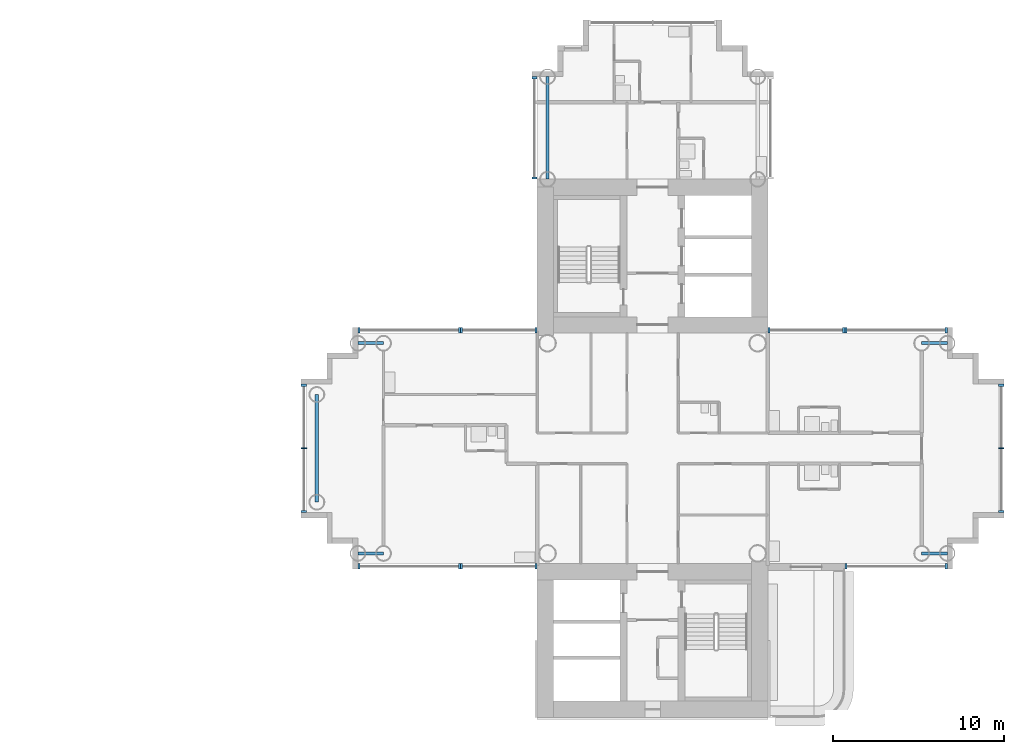
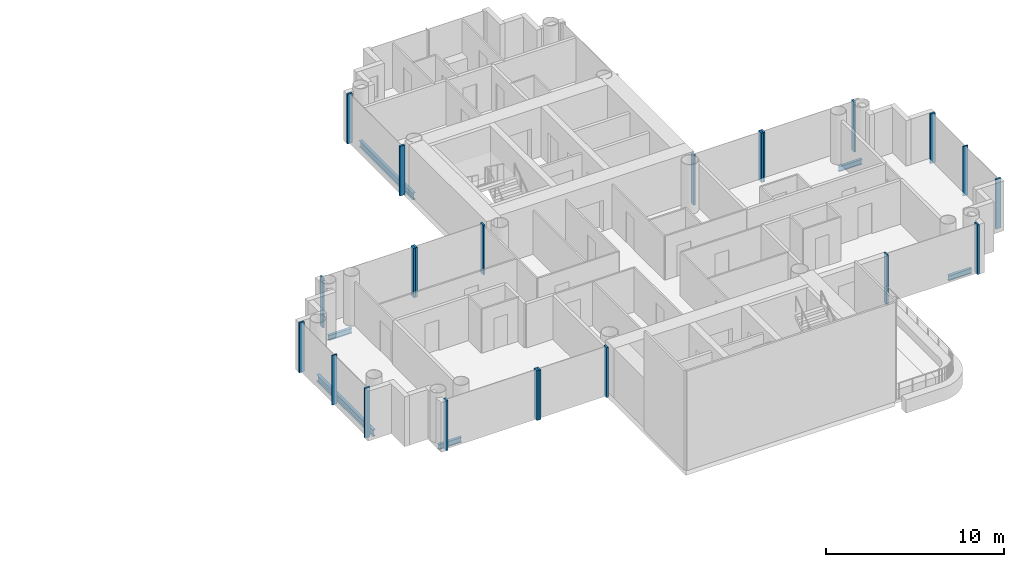
# One storey, part 5 of 22: 22 members, 6 beams, 10 elements without a shape of their own.
"""IFC4 building model written with IfcOpenShell, lengths in metres."""

from ifc_helpers import new_model, si_unit, direction, frame, origin, origin_2d, place, context, subcontext, project, spatial, rectangle, i_section, extrude, material, layer, layer_set, material_profile, profile_set, type_object, element, aggregate, save


model = new_model("IFC4")

# Units and contexts
model_context = context("Model", 3, precision=1e-05, world=origin(), true_north=direction((0.0, 1.0)))
body_context = subcontext(model_context, "Body", "Model", "MODEL_VIEW")
ifc_project = project(units=[si_unit("LENGTHUNIT", "METRE"), si_unit("AREAUNIT", "SQUARE_METRE"), si_unit("VOLUMEUNIT", "CUBIC_METRE"), si_unit("PLANEANGLEUNIT", "RADIAN"), si_unit("MASSUNIT", "GRAM", prefix="KILO")], contexts=[model_context])

# Site, building, storey
site_placement = place(None, origin())
site = spatial("IfcSite", under=ifc_project, at=site_placement, CompositionType="ELEMENT")
building_placement = place(site_placement, origin())
building = spatial("IfcBuilding", under=site, at=building_placement, Name="Ipe Terrace Towers", CompositionType="ELEMENT")
storey_placement = place(building_placement, frame((0.0, 0.0, 90.199951171875)))
storey = spatial("IfcBuildingStorey", under=building, at=storey_placement, Name="L24", CompositionType="ELEMENT", Elevation=90.199951171875)

# Beams
ifc_material_1 = material(Name="Steel S355", Category="steel")
ifc_material_profile_1 = material_profile(ifc_material_1, i_section(OverallWidth=0.175048828125, OverallDepth=0.35009765625, WebThickness=0.007080078125, FlangeThickness=0.010986328125, at=origin_2d()), Name="H-350x175x7x11")
ifc_profile_set_1 = profile_set([ifc_material_profile_1], Name="Steel S355")
beam_type_1 = type_object("IfcBeamType", Name="H04 EDGE BEAM H-350x175x7x11", PredefinedType="BEAM", material=ifc_profile_set_1)
for number, where, z_axis, x_axis, name in (
    (1, (20.25, 6.14990234375, -0.574951171875), (-1.0, 0.0, 0.0), (0.0, -1.0, 0.0), "Edge beam T2-EB-B03-B05"),
    (2, (20.25, -6.14990234375, -0.574951171875), (-1.0, 0.0, 0.0), (0.0, -1.0, 0.0), "Edge beam T2-EB-B04-B06"),
    (3, (51.75, -6.14990234375, -0.574951171875), (1.0, 0.0, 0.0), (0.0, 1.0, 0.0), "Edge beam T2-EB-D03-D05"),
    (4, (51.75, 6.14990234375, -0.574951171875), (1.0, 0.0, 0.0), (0.0, 1.0, 0.0), "Edge beam T2-EB-D04-D06"),
):
    element("IfcBeam", number, at=place(storey_placement, frame(where, z_axis=z_axis, x_axis=x_axis)), inside=storey, type_object=beam_type_1, Name=name, PredefinedType="BEAM", context=body_context, shape_type="SweptSolid", body=[
        extrude(i_section(OverallWidth=0.175048828125, OverallDepth=0.35009765625, WebThickness=0.007080078125, FlangeThickness=0.010986328125, at=origin_2d()), origin(), (0.0, 0.0, 1.0), 1.5),
    ])
ifc_material_2 = material(Name="Steel S355", Category="steel")
ifc_material_profile_2 = material_profile(ifc_material_2, i_section(OverallWidth=0.199951171875, OverallDepth=0.449951171875, WebThickness=0.009033203125, FlangeThickness=0.013916015625, at=origin_2d()), Name="H-450x200x9x14")
ifc_profile_set_2 = profile_set([ifc_material_profile_2], Name="Steel S355")
beam_type_2 = type_object("IfcBeamType", Name="H08 EDGE BEAM H-450x200x9x14", PredefinedType="BEAM", material=ifc_profile_set_2)
beam_1_placement = place(storey_placement, frame((29.85009765625, 15.75, -0.625), z_axis=(0.0, 1.0, 0.0), x_axis=(-1.0, 0.0, 0.0)))
element("IfcBeam", 5, at=beam_1_placement, inside=storey, type_object=beam_type_2, Name="Edge beam T2-EB-A02-A04", PredefinedType="BEAM", context=body_context, shape_type="SweptSolid", body=[
    extrude(i_section(OverallWidth=0.199951171875, OverallDepth=0.449951171875, WebThickness=0.009033203125, FlangeThickness=0.013916015625, at=origin_2d()), origin(), (0.0, 0.0, 1.0), 6.0),
])
beam_2_placement = place(storey_placement, frame((16.35009765625, 3.14990234375, -0.625), z_axis=(0.0, -1.0, 0.0), x_axis=(1.0, 0.0, 0.0)))
element("IfcBeam", 6, at=beam_2_placement, inside=storey, type_object=beam_type_2, Name="Edge beam T2-EB-B07-B08", PredefinedType="BEAM", context=body_context, shape_type="SweptSolid", body=[
    extrude(i_section(OverallWidth=0.199951171875, OverallDepth=0.449951171875, WebThickness=0.009033203125, FlangeThickness=0.013916015625, at=origin_2d()), origin(), (0.0, 0.0, 1.0), 6.2998046875),
])

# Curtain wall, members
ifc_material_3 = material(Name="Aluminium alloy 6063-T6", Category="aluminium")
ifc_layer = layer(ifc_material_3, 0.320068359375)
ifc_layer_set = layer_set([ifc_layer], Name="TOWER UNITISED CURTAIN WALL")
curtain_wall_type = type_object("IfcCurtainWallType", Name="TOWER UNITISED CURTAIN WALL", PredefinedType="NOTDEFINED", material=ifc_layer_set)
curtain_wall_1_placement = place(storey_placement, origin())
curtain_wall_1 = element("IfcCurtainWall", 7, at=curtain_wall_1_placement, inside=storey, type_object=curtain_wall_type, Name="T2-CW-L24-03a curtain wall", PredefinedType="NOTDEFINED")
ifc_material_4 = material(Name="Aluminium alloy 6063-T6", Category="aluminium")
ifc_material_profile_3 = material_profile(ifc_material_4, rectangle(XDim=0.320068359375, YDim=0.1201171875, at=origin_2d()), Name="TOWER UNITISED CORNER MULLION 320 x 120")
ifc_profile_set_3 = profile_set([ifc_material_profile_3], Name="Aluminium alloy 6063-T6")
member_type_1 = type_object("IfcMemberType", Name="TOWER UNITISED CORNER MULLION 320 x 120", PredefinedType="MULLION", material=ifc_profile_set_3)
member_1_placement = place(storey_placement, frame((47.31005859375, -6.909912109375, -0.300048828125), z_axis=(0.0, 0.0, 1.0), x_axis=(0.0, -1.0, 0.0)))
member_1 = element("IfcMember", 8, at=member_1_placement, type_object=member_type_1, Name="T2-CW-L24-03a mullion 1", PredefinedType="MULLION", context=body_context, shape_type="SweptSolid", body=[
    extrude(rectangle(XDim=0.320068359375, YDim=0.1201171875, at=origin_2d()), origin(), (0.0, 0.0, 1.0), 3.400146484375),
])
member_2_placement = place(storey_placement, frame((53.18994140625, -6.909912109375, -0.300048828125), z_axis=(0.0, 0.0, 1.0), x_axis=(0.0, -1.0, 0.0)))
member_2 = element("IfcMember", 9, at=member_2_placement, type_object=member_type_1, Name="T2-CW-L24-03a mullion 2", PredefinedType="MULLION", context=body_context, shape_type="SweptSolid", body=[
    extrude(rectangle(XDim=0.320068359375, YDim=0.1201171875, at=origin_2d()), origin(), (0.0, 0.0, 1.0), 3.400146484375),
])
aggregate(curtain_wall_1, [member_1, member_2])

curtain_wall_2_placement = place(storey_placement, origin())
curtain_wall_2 = element("IfcCurtainWall", 10, at=curtain_wall_2_placement, inside=storey, type_object=curtain_wall_type, Name="T2-CW-L24-08a curtain wall", PredefinedType="NOTDEFINED")
member_3_placement = place(storey_placement, frame((56.409912109375, -3.68994140625, -0.300048828125), z_axis=(0.0, 0.0, 1.0), x_axis=(1.0, 0.0, 0.0)))
member_3 = element("IfcMember", 11, at=member_3_placement, type_object=member_type_1, Name="T2-CW-L24-08a mullion 1", PredefinedType="MULLION", context=body_context, shape_type="SweptSolid", body=[
    extrude(rectangle(XDim=0.320068359375, YDim=0.1201171875, at=origin_2d()), origin(), (0.0, 0.0, 1.0), 3.400146484375),
])
member_4_placement = place(storey_placement, frame((56.409912109375, 3.68994140625, -0.300048828125), z_axis=(0.0, 0.0, 1.0), x_axis=(1.0, 0.0, 0.0)))
member_4 = element("IfcMember", 12, at=member_4_placement, type_object=member_type_1, Name="T2-CW-L24-08a mullion 3", PredefinedType="MULLION", context=body_context, shape_type="SweptSolid", body=[
    extrude(rectangle(XDim=0.320068359375, YDim=0.1201171875, at=origin_2d()), origin(), (0.0, 0.0, 1.0), 3.400146484375),
])

curtain_wall_3_placement = place(storey_placement, origin())
curtain_wall_3 = element("IfcCurtainWall", 13, at=curtain_wall_3_placement, inside=storey, type_object=curtain_wall_type, Name="T2-CW-L24-13a curtain wall", PredefinedType="NOTDEFINED")
member_5_placement = place(storey_placement, frame((53.18994140625, 6.909912109375, -0.300048828125), z_axis=(0.0, 0.0, 1.0), x_axis=(0.0, 1.0, 0.0)))
member_5 = element("IfcMember", 14, at=member_5_placement, type_object=member_type_1, Name="T2-CW-L24-13a mullion 1", PredefinedType="MULLION", context=body_context, shape_type="SweptSolid", body=[
    extrude(rectangle(XDim=0.320068359375, YDim=0.1201171875, at=origin_2d()), origin(), (0.0, 0.0, 1.0), 3.400146484375),
])
member_6_placement = place(storey_placement, frame((47.31005859375, 6.909912109375, -0.300048828125), z_axis=(0.0, 0.0, 1.0), x_axis=(0.0, 1.0, 0.0)))
member_6 = element("IfcMember", 15, at=member_6_placement, type_object=member_type_1, Name="T2-CW-L24-13a mullion 2", PredefinedType="MULLION", context=body_context, shape_type="SweptSolid", body=[
    extrude(rectangle(XDim=0.320068359375, YDim=0.1201171875, at=origin_2d()), origin(), (0.0, 0.0, 1.0), 3.400146484375),
])
aggregate(curtain_wall_3, [member_5, member_6])

curtain_wall_4_placement = place(storey_placement, origin())
curtain_wall_4 = element("IfcCurtainWall", 16, at=curtain_wall_4_placement, inside=storey, type_object=curtain_wall_type, Name="T2-CW-L24-14a curtain wall", PredefinedType="NOTDEFINED")
member_7_placement = place(storey_placement, frame((47.18994140625, 6.909912109375, -0.300048828125), z_axis=(0.0, 0.0, 1.0), x_axis=(0.0, 1.0, 0.0)))
member_7 = element("IfcMember", 17, at=member_7_placement, type_object=member_type_1, Name="T2-CW-L24-14a mullion 1", PredefinedType="MULLION", context=body_context, shape_type="SweptSolid", body=[
    extrude(rectangle(XDim=0.320068359375, YDim=0.1201171875, at=origin_2d()), origin(), (0.0, 0.0, 1.0), 3.400146484375),
])
member_8_placement = place(storey_placement, frame((42.81005859375, 6.909912109375, -0.300048828125), z_axis=(0.0, 0.0, 1.0), x_axis=(0.0, 1.0, 0.0)))
member_8 = element("IfcMember", 18, at=member_8_placement, type_object=member_type_1, Name="T2-CW-L24-14a mullion 2", PredefinedType="MULLION", context=body_context, shape_type="SweptSolid", body=[
    extrude(rectangle(XDim=0.320068359375, YDim=0.1201171875, at=origin_2d()), origin(), (0.0, 0.0, 1.0), 3.400146484375),
])
aggregate(curtain_wall_4, [member_7, member_8])

curtain_wall_5_placement = place(storey_placement, origin())
curtain_wall_5 = element("IfcCurtainWall", 19, at=curtain_wall_5_placement, inside=storey, type_object=curtain_wall_type, Name="T2-CW-L24-26a curtain wall", PredefinedType="NOTDEFINED")
member_9_placement = place(storey_placement, frame((29.090087890625, 21.68994140625, -0.300048828125), z_axis=(0.0, 0.0, 1.0), x_axis=(-1.0, 0.0, 0.0)))
member_9 = element("IfcMember", 20, at=member_9_placement, type_object=member_type_1, Name="T2-CW-L24-26a mullion 1", PredefinedType="MULLION", context=body_context, shape_type="SweptSolid", body=[
    extrude(rectangle(XDim=0.320068359375, YDim=0.1201171875, at=origin_2d()), origin(), (0.0, 0.0, 1.0), 3.400146484375),
])
member_10_placement = place(storey_placement, frame((29.090087890625, 15.81103515625, -0.300048828125), z_axis=(0.0, 0.0, 1.0), x_axis=(-1.0, 0.0, 0.0)))
member_10 = element("IfcMember", 21, at=member_10_placement, type_object=member_type_1, Name="T2-CW-L24-26a mullion 2", PredefinedType="MULLION", context=body_context, shape_type="SweptSolid", body=[
    extrude(rectangle(XDim=0.320068359375, YDim=0.1201171875, at=origin_2d()), origin(), (0.0, 0.0, 1.0), 3.400146484375),
])
aggregate(curtain_wall_5, [member_9, member_10])

curtain_wall_6_placement = place(storey_placement, origin())
curtain_wall_6 = element("IfcCurtainWall", 22, at=curtain_wall_6_placement, inside=storey, type_object=curtain_wall_type, Name="T2-CW-L24-28a curtain wall", PredefinedType="NOTDEFINED")
member_11_placement = place(storey_placement, frame((29.18994140625, 6.909912109375, -0.300048828125), z_axis=(0.0, 0.0, 1.0), x_axis=(0.0, 1.0, 0.0)))
member_11 = element("IfcMember", 23, at=member_11_placement, type_object=member_type_1, Name="T2-CW-L24-28a mullion 1", PredefinedType="MULLION", context=body_context, shape_type="SweptSolid", body=[
    extrude(rectangle(XDim=0.320068359375, YDim=0.1201171875, at=origin_2d()), origin(), (0.0, 0.0, 1.0), 3.400146484375),
])
member_12_placement = place(storey_placement, frame((24.81005859375, 6.909912109375, -0.300048828125), z_axis=(0.0, 0.0, 1.0), x_axis=(0.0, 1.0, 0.0)))
member_12 = element("IfcMember", 24, at=member_12_placement, type_object=member_type_1, Name="T2-CW-L24-28a mullion 2", PredefinedType="MULLION", context=body_context, shape_type="SweptSolid", body=[
    extrude(rectangle(XDim=0.320068359375, YDim=0.1201171875, at=origin_2d()), origin(), (0.0, 0.0, 1.0), 3.400146484375),
])
aggregate(curtain_wall_6, [member_11, member_12])

curtain_wall_7_placement = place(storey_placement, origin())
curtain_wall_7 = element("IfcCurtainWall", 25, at=curtain_wall_7_placement, inside=storey, type_object=curtain_wall_type, Name="T2-CW-L24-29a curtain wall", PredefinedType="NOTDEFINED")
member_13_placement = place(storey_placement, frame((24.68994140625, 6.909912109375, -0.300048828125), z_axis=(0.0, 0.0, 1.0), x_axis=(0.0, 1.0, 0.0)))
member_13 = element("IfcMember", 26, at=member_13_placement, type_object=member_type_1, Name="T2-CW-L24-29a mullion 1", PredefinedType="MULLION", context=body_context, shape_type="SweptSolid", body=[
    extrude(rectangle(XDim=0.320068359375, YDim=0.1201171875, at=origin_2d()), origin(), (0.0, 0.0, 1.0), 3.400146484375),
])
member_14_placement = place(storey_placement, frame((18.81005859375, 6.909912109375, -0.300048828125), z_axis=(0.0, 0.0, 1.0), x_axis=(0.0, 1.0, 0.0)))
member_14 = element("IfcMember", 27, at=member_14_placement, type_object=member_type_1, Name="T2-CW-L24-29a mullion 2", PredefinedType="MULLION", context=body_context, shape_type="SweptSolid", body=[
    extrude(rectangle(XDim=0.320068359375, YDim=0.1201171875, at=origin_2d()), origin(), (0.0, 0.0, 1.0), 3.400146484375),
])
aggregate(curtain_wall_7, [member_13, member_14])

curtain_wall_8_placement = place(storey_placement, origin())
curtain_wall_8 = element("IfcCurtainWall", 28, at=curtain_wall_8_placement, inside=storey, type_object=curtain_wall_type, Name="T2-CW-L24-34a curtain wall", PredefinedType="NOTDEFINED")
member_15_placement = place(storey_placement, frame((15.590087890625, 3.68994140625, -0.300048828125), z_axis=(0.0, 0.0, 1.0), x_axis=(-1.0, 0.0, 0.0)))
member_15 = element("IfcMember", 29, at=member_15_placement, type_object=member_type_1, Name="T2-CW-L24-34a mullion 1", PredefinedType="MULLION", context=body_context, shape_type="SweptSolid", body=[
    extrude(rectangle(XDim=0.320068359375, YDim=0.1201171875, at=origin_2d()), origin(), (0.0, 0.0, 1.0), 3.400146484375),
])
member_16_placement = place(storey_placement, frame((15.590087890625, -3.68994140625, -0.300048828125), z_axis=(0.0, 0.0, 1.0), x_axis=(-1.0, 0.0, 0.0)))
member_16 = element("IfcMember", 30, at=member_16_placement, type_object=member_type_1, Name="T2-CW-L24-34a mullion 3", PredefinedType="MULLION", context=body_context, shape_type="SweptSolid", body=[
    extrude(rectangle(XDim=0.320068359375, YDim=0.1201171875, at=origin_2d()), origin(), (0.0, 0.0, 1.0), 3.400146484375),
])

curtain_wall_9_placement = place(storey_placement, origin())
curtain_wall_9 = element("IfcCurtainWall", 31, at=curtain_wall_9_placement, inside=storey, type_object=curtain_wall_type, Name="T2-CW-L24-39a curtain wall", PredefinedType="NOTDEFINED")
member_17_placement = place(storey_placement, frame((18.81005859375, -6.909912109375, -0.300048828125), z_axis=(0.0, 0.0, 1.0), x_axis=(0.0, -1.0, 0.0)))
member_17 = element("IfcMember", 32, at=member_17_placement, type_object=member_type_1, Name="T2-CW-L24-39a mullion 1", PredefinedType="MULLION", context=body_context, shape_type="SweptSolid", body=[
    extrude(rectangle(XDim=0.320068359375, YDim=0.1201171875, at=origin_2d()), origin(), (0.0, 0.0, 1.0), 3.400146484375),
])
member_18_placement = place(storey_placement, frame((24.68994140625, -6.909912109375, -0.300048828125), z_axis=(0.0, 0.0, 1.0), x_axis=(0.0, -1.0, 0.0)))
member_18 = element("IfcMember", 33, at=member_18_placement, type_object=member_type_1, Name="T2-CW-L24-39a mullion 2", PredefinedType="MULLION", context=body_context, shape_type="SweptSolid", body=[
    extrude(rectangle(XDim=0.320068359375, YDim=0.1201171875, at=origin_2d()), origin(), (0.0, 0.0, 1.0), 3.400146484375),
])
aggregate(curtain_wall_9, [member_17, member_18])

curtain_wall_10_placement = place(storey_placement, origin())
curtain_wall_10 = element("IfcCurtainWall", 34, at=curtain_wall_10_placement, inside=storey, type_object=curtain_wall_type, Name="T2-CW-L24-40a curtain wall", PredefinedType="NOTDEFINED")
member_19_placement = place(storey_placement, frame((24.81005859375, -6.909912109375, -0.300048828125), z_axis=(0.0, 0.0, 1.0), x_axis=(0.0, -1.0, 0.0)))
member_19 = element("IfcMember", 35, at=member_19_placement, type_object=member_type_1, Name="T2-CW-L24-40a mullion 1", PredefinedType="MULLION", context=body_context, shape_type="SweptSolid", body=[
    extrude(rectangle(XDim=0.320068359375, YDim=0.1201171875, at=origin_2d()), origin(), (0.0, 0.0, 1.0), 3.400146484375),
])
member_20_placement = place(storey_placement, frame((29.18994140625, -6.909912109375, -0.300048828125), z_axis=(0.0, 0.0, 1.0), x_axis=(0.0, -1.0, 0.0)))
member_20 = element("IfcMember", 36, at=member_20_placement, type_object=member_type_1, Name="T2-CW-L24-40a mullion 2", PredefinedType="MULLION", context=body_context, shape_type="SweptSolid", body=[
    extrude(rectangle(XDim=0.320068359375, YDim=0.1201171875, at=origin_2d()), origin(), (0.0, 0.0, 1.0), 3.400146484375),
])
aggregate(curtain_wall_10, [member_19, member_20])

# Member
ifc_material_5 = material(Name="Aluminium alloy 6063-T6", Category="aluminium")
ifc_material_profile_4 = material_profile(ifc_material_5, rectangle(XDim=0.320068359375, YDim=0.06494140625, at=origin_2d()), Name="TOWER UNITISED MULLION 320 x 65")
ifc_profile_set_4 = profile_set([ifc_material_profile_4], Name="Aluminium alloy 6063-T6")
member_type_2 = type_object("IfcMemberType", Name="TOWER UNITISED MULLION 320 x 65", PredefinedType="MULLION", material=ifc_profile_set_4)
member_21_placement = place(storey_placement, frame((56.409912109375, 0.0, -0.300048828125), z_axis=(0.0, 0.0, 1.0), x_axis=(1.0, 0.0, 0.0)))
member_21 = element("IfcMember", 37, at=member_21_placement, type_object=member_type_2, Name="T2-CW-L24-08a mullion 2", PredefinedType="MULLION", context=body_context, shape_type="SweptSolid", body=[
    extrude(rectangle(XDim=0.320068359375, YDim=0.06494140625, at=origin_2d()), origin(), (0.0, 0.0, 1.0), 3.400146484375),
])

aggregate(curtain_wall_2, [member_3, member_21, member_4])

member_22_placement = place(storey_placement, frame((15.590087890625, 0.0, -0.300048828125), z_axis=(0.0, 0.0, 1.0), x_axis=(-1.0, 0.0, 0.0)))
member_22 = element("IfcMember", 38, at=member_22_placement, type_object=member_type_2, Name="T2-CW-L24-34a mullion 2", PredefinedType="MULLION", context=body_context, shape_type="SweptSolid", body=[
    extrude(rectangle(XDim=0.320068359375, YDim=0.06494140625, at=origin_2d()), origin(), (0.0, 0.0, 1.0), 3.400146484375),
])

aggregate(curtain_wall_8, [member_15, member_22, member_16])

save(model, "model.ifc")
